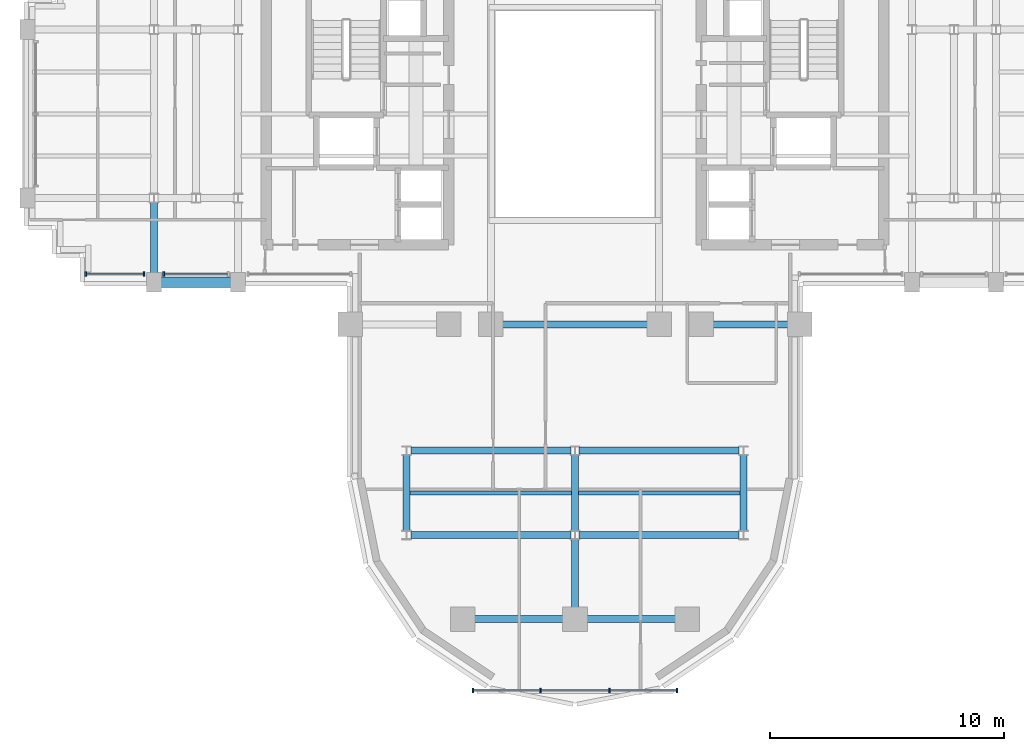
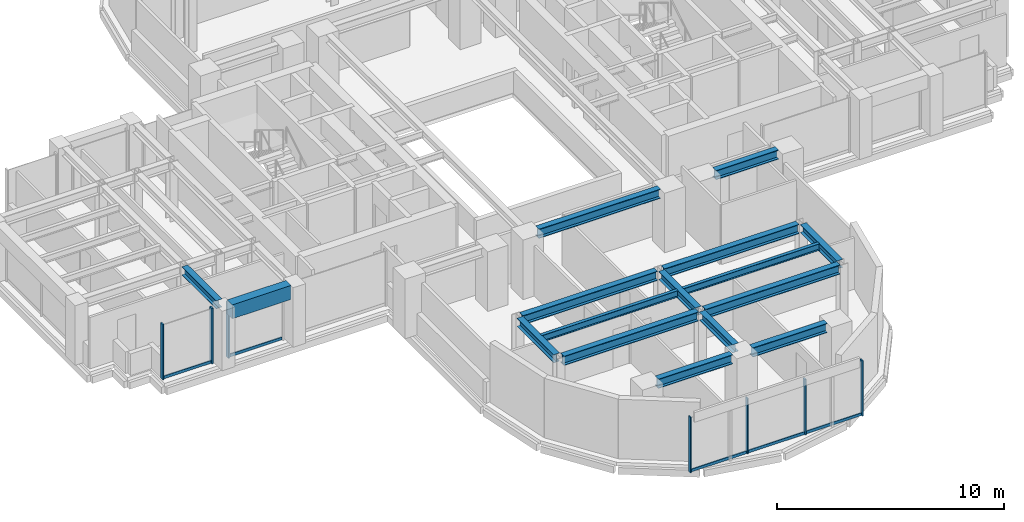
# One storey, part 3 of 14: 16 beams, 12 members, 3 elements without a shape of their own.
"""IFC4 building model written with IfcOpenShell, lengths in metres."""

from ifc_helpers import new_model, si_unit, direction, frame, origin, origin_2d, place, context, subcontext, project, spatial, rectangle, i_section, extrude, source, transform, mapped, material, material_profile, profile_set, type_object, element, aggregate, save


model = new_model("IFC4")

# Units and contexts
model_context = context("Model", 3, precision=1e-05, world=origin(), true_north=direction((0.0, 1.0)))
body_context = subcontext(model_context, "Body", "Model", "MODEL_VIEW")
ifc_project = project(units=[si_unit("LENGTHUNIT", "METRE"), si_unit("AREAUNIT", "SQUARE_METRE"), si_unit("VOLUMEUNIT", "CUBIC_METRE"), si_unit("PLANEANGLEUNIT", "RADIAN"), si_unit("MASSUNIT", "GRAM", prefix="KILO")], contexts=[model_context])

# Site, building, storey
site_placement = place(None, origin())
site = spatial("IfcSite", under=ifc_project, at=site_placement, CompositionType="ELEMENT")
building_placement = place(site_placement, origin())
building = spatial("IfcBuilding", under=site, at=building_placement, Name="Keilestroom Media Tower", CompositionType="ELEMENT")
storey_placement = place(building_placement, frame((0.0, 0.0, 124.39990234375)))
storey = spatial("IfcBuildingStorey", under=building, at=storey_placement, Name="L33", CompositionType="ELEMENT", Elevation=124.39990234375)

# Beams
ifc_material_1 = material(Name="Steel S355", Category="steel")
ifc_material_profile_1 = material_profile(ifc_material_1, i_section(OverallWidth=0.169921875, OverallDepth=0.360107421875, WebThickness=0.008056640625, FlangeThickness=0.0126953125, at=origin_2d()), Name="IPE 360")
ifc_profile_set_1 = profile_set([ifc_material_profile_1], Name="Steel S355")
beam_type_1 = type_object("IfcBeamType", Name="Secondary-Floor-Joist-IPE-360", PredefinedType="JOIST", material=ifc_profile_set_1)
shared_shape_1 = source(origin(), body_context, "Body", "SweptSolid", [
    extrude(i_section(OverallWidth=0.169921875, OverallDepth=0.360107421875, WebThickness=0.008056640625, FlangeThickness=0.0126953125, at=origin_2d()), origin(), (0.0, 0.0, 1.0), 6.940185546875),
])
for number, where, z_axis, x_axis, name in (
    (1, (-7.070068359375, -16.199951171875, 3.02001953125), (1.0, 0.0, 0.0), (0.0, 1.0, 0.0), "L33 Beam BJ-5 JST-L33-069"),
    (2, (0.1298828125, -16.199951171875, 3.02001953125), (1.0, 0.0, 0.0), (0.0, 1.0, 0.0), "L33 Beam BJ-5 JST-L33-070"),
):
    element("IfcBeam", number, at=place(storey_placement, frame(where, z_axis=z_axis, x_axis=x_axis)), inside=storey, type_object=beam_type_1, Name=name, PredefinedType="JOIST", context=body_context, shape_type="MappedRepresentation", body=[
        mapped(shared_shape_1, transform((0.0, 0.0, 0.0), x_axis=(1.0, 0.0, 0.0), y_axis=(0.0, 1.0, 0.0), z_axis=(0.0, 0.0, 1.0), scale=1.0)),
    ])
ifc_material_profile_2 = material_profile(ifc_material_1, i_section(OverallWidth=0.300048828125, OverallDepth=0.5, WebThickness=0.012451171875, FlangeThickness=0.028076171875, at=origin_2d()), Name="HEB 500")
ifc_profile_set_2 = profile_set([ifc_material_profile_2], Name="Steel S355")
beam_type_2 = type_object("IfcBeamType", Name="Primary-Structural-Girder-HEB-500", PredefinedType="BEAM", material=ifc_profile_set_2)
shared_shape_2 = source(origin(), body_context, "Body", "SweptSolid", [
    extrude(i_section(OverallWidth=0.300048828125, OverallDepth=0.5, WebThickness=0.012451171875, FlangeThickness=0.028076171875, at=origin_2d()), origin(), (0.0, 0.0, 1.0), 3.7900390625),
])
for number, where, z_axis, x_axis, name in (
    (3, (-4.294921875, -21.60009765625, 2.9501953125), (1.0, 0.0, 0.0), (0.0, 1.0, 0.0), "L33 Beam BG-6 BM-L33-EW-001"),
    (4, (0.5048828125, -21.60009765625, 2.9501953125), (1.0, 0.0, 0.0), (0.0, 1.0, 0.0), "L33 Beam BG-6 BM-L33-EW-002"),
):
    element("IfcBeam", number, at=place(storey_placement, frame(where, z_axis=z_axis, x_axis=x_axis)), inside=storey, type_object=beam_type_2, Name=name, PredefinedType="BEAM", context=body_context, shape_type="MappedRepresentation", body=[
        mapped(shared_shape_2, transform((0.0, 0.0, 0.0), x_axis=(1.0, 0.0, 0.0), y_axis=(0.0, 1.0, 0.0), z_axis=(0.0, 0.0, 1.0), scale=1.0)),
    ])
shared_shape_3 = source(origin(), body_context, "Body", "SweptSolid", [
    extrude(i_section(OverallWidth=0.300048828125, OverallDepth=0.5, WebThickness=0.012451171875, FlangeThickness=0.028076171875, at=origin_2d()), origin(), (0.0, 0.0, 1.0), 6.839111328125),
])
for number, where, z_axis, x_axis, name in (
    (5, (-7.01953125, -18.0, 2.9501953125), (1.0, 0.0, 0.0), (0.0, 1.0, 0.0), "L33 Beam BG-6 BM-L33-EW-003"),
    (6, (0.180419921875, -18.0, 2.9501953125), (1.0, 0.0, 0.0), (0.0, 1.0, 0.0), "L33 Beam BG-6 BM-L33-EW-004"),
    (7, (-7.01953125, -14.39990234375, 2.9501953125), (1.0, 0.0, 0.0), (0.0, 1.0, 0.0), "L33 Beam BG-6 BM-L33-EW-005"),
    (8, (0.180419921875, -14.39990234375, 2.9501953125), (1.0, 0.0, 0.0), (0.0, 1.0, 0.0), "L33 Beam BG-6 BM-L33-EW-006"),
):
    element("IfcBeam", number, at=place(storey_placement, frame(where, z_axis=z_axis, x_axis=x_axis)), inside=storey, type_object=beam_type_2, Name=name, PredefinedType="BEAM", context=body_context, shape_type="MappedRepresentation", body=[
        mapped(shared_shape_3, transform((0.0, 0.0, 0.0), x_axis=(1.0, 0.0, 0.0), y_axis=(0.0, 1.0, 0.0), z_axis=(0.0, 0.0, 1.0), scale=1.0)),
    ])
shared_shape_4 = source(origin(), body_context, "Body", "SweptSolid", [
    extrude(i_section(OverallWidth=0.300048828125, OverallDepth=0.5, WebThickness=0.012451171875, FlangeThickness=0.028076171875, at=origin_2d()), origin(), (0.0, 0.0, 1.0), 3.18994140625),
])
beam_1_placement = place(storey_placement, frame((5.905029296875, -9.0, 2.9501953125), z_axis=(1.0, 0.0, 0.0), x_axis=(0.0, 1.0, 0.0)))
element("IfcBeam", 9, at=beam_1_placement, inside=storey, type_object=beam_type_2, Name="L33 Beam BG-6 BM-L33-EW-011", PredefinedType="BEAM", context=body_context, shape_type="MappedRepresentation", body=[
    mapped(shared_shape_4, transform((0.0, 0.0, 0.0), x_axis=(1.0, 0.0, 0.0), y_axis=(0.0, 1.0, 0.0), z_axis=(0.0, 0.0, 1.0), scale=1.0)),
])
shared_shape_5 = source(origin(), body_context, "Body", "SweptSolid", [
    extrude(i_section(OverallWidth=0.300048828125, OverallDepth=0.5, WebThickness=0.012451171875, FlangeThickness=0.028076171875, at=origin_2d()), origin(), (0.0, 0.0, 1.0), 6.18994140625),
])
beam_2_placement = place(storey_placement, frame((-3.094970703125, -9.0, 2.9501953125), z_axis=(1.0, 0.0, 0.0), x_axis=(0.0, 1.0, 0.0)))
element("IfcBeam", 10, at=beam_2_placement, inside=storey, type_object=beam_type_2, Name="L33 Beam BG-6 BM-L33-EW-009", PredefinedType="BEAM", context=body_context, shape_type="MappedRepresentation", body=[
    mapped(shared_shape_5, transform((0.0, 0.0, 0.0), x_axis=(1.0, 0.0, 0.0), y_axis=(0.0, 1.0, 0.0), z_axis=(0.0, 0.0, 1.0), scale=1.0)),
])
ifc_material_2 = material(Name="Precast concrete C40/50", Category="concrete")
ifc_material_profile_3 = material_profile(ifc_material_2, rectangle(XDim=0.449951171875, YDim=0.75, at=origin_2d()), Name="PC 450x750")
ifc_profile_set_3 = profile_set([ifc_material_profile_3], Name="Precast concrete C40/50")
beam_type_3 = type_object("IfcBeamType", Name="Perimeter-Spandrel-Beam-PC-450x750", PredefinedType="SPANDREL", material=ifc_profile_set_3)
shared_shape_6 = source(origin(), body_context, "Body", "SweptSolid", [
    extrude(rectangle(XDim=0.449951171875, YDim=0.75, at=origin_2d()), origin(), (0.0, 0.0, 1.0), 2.989990234375),
])
beam_3_placement = place(storey_placement, frame((-17.695068359375, -7.199951171875, 2.8251953125), z_axis=(1.0, 0.0, 0.0), x_axis=(0.0, 1.0, 0.0)))
element("IfcBeam", 11, at=beam_3_placement, inside=storey, type_object=beam_type_3, Name="L33 Beam SPB-1 BM-L33-EW-012", PredefinedType="SPANDREL", context=body_context, shape_type="MappedRepresentation", body=[
    mapped(shared_shape_6, transform((0.0, 0.0, 0.0), x_axis=(1.0, 0.0, 0.0), y_axis=(0.0, 1.0, 0.0), z_axis=(0.0, 0.0, 1.0), scale=1.0)),
])
ifc_material_profile_4 = material_profile(ifc_material_1, i_section(OverallWidth=0.300048828125, OverallDepth=0.43994140625, WebThickness=0.011474609375, FlangeThickness=0.02099609375, at=origin_2d()), Name="HEA 450")
ifc_profile_set_4 = profile_set([ifc_material_profile_4], Name="Steel S355")
beam_type_4 = type_object("IfcBeamType", Name="Primary-Structural-Girder-HEA-450", PredefinedType="BEAM", material=ifc_profile_set_4)
shared_shape_7 = source(origin(), body_context, "Body", "SweptSolid", [
    extrude(i_section(OverallWidth=0.300048828125, OverallDepth=0.43994140625, WebThickness=0.011474609375, FlangeThickness=0.02099609375, at=origin_2d()), origin(), (0.0, 0.0, 1.0), 3.015380859375),
])
beam_4_placement = place(storey_placement, frame((-18.0, -6.794921875, 2.97998046875), z_axis=(0.0, 1.0, 0.0), x_axis=(-1.0, 0.0, 0.0)))
element("IfcBeam", 12, at=beam_4_placement, inside=storey, type_object=beam_type_4, Name="L33 Beam BG-11 BM-L33-NS-040", PredefinedType="BEAM", context=body_context, shape_type="MappedRepresentation", body=[
    mapped(shared_shape_7, transform((0.0, 0.0, 0.0), x_axis=(1.0, 0.0, 0.0), y_axis=(0.0, 1.0, 0.0), z_axis=(0.0, 0.0, 1.0), scale=1.0)),
])
shared_shape_8 = source(origin(), body_context, "Body", "SweptSolid", [
    extrude(i_section(OverallWidth=0.300048828125, OverallDepth=0.43994140625, WebThickness=0.011474609375, FlangeThickness=0.02099609375, at=origin_2d()), origin(), (0.0, 0.0, 1.0), 3.240966796875),
])
for number, where, z_axis, x_axis, name in (
    (13, (-7.199951171875, -17.820556640625, 2.97998046875), (0.0, 1.0, 0.0), (-1.0, 0.0, 0.0), "L33 Beam BG-11 BM-L33-NS-048"),
    (14, (0.0, -17.820556640625, 2.97998046875), (0.0, 1.0, 0.0), (-1.0, 0.0, 0.0), "L33 Beam BG-11 BM-L33-NS-053"),
    (15, (7.199951171875, -17.820556640625, 2.97998046875), (0.0, 1.0, 0.0), (-1.0, 0.0, 0.0), "L33 Beam BG-11 BM-L33-NS-058"),
):
    element("IfcBeam", number, at=place(storey_placement, frame(where, z_axis=z_axis, x_axis=x_axis)), inside=storey, type_object=beam_type_4, Name=name, PredefinedType="BEAM", context=body_context, shape_type="MappedRepresentation", body=[
        mapped(shared_shape_8, transform((0.0, 0.0, 0.0), x_axis=(1.0, 0.0, 0.0), y_axis=(0.0, 1.0, 0.0), z_axis=(0.0, 0.0, 1.0), scale=1.0)),
    ])
shared_shape_9 = source(origin(), body_context, "Body", "SweptSolid", [
    extrude(i_section(OverallWidth=0.300048828125, OverallDepth=0.43994140625, WebThickness=0.011474609375, FlangeThickness=0.02099609375, at=origin_2d()), origin(), (0.0, 0.0, 1.0), 2.91552734375),
])
beam_5_placement = place(storey_placement, frame((0.0, -21.094970703125, 2.97998046875), z_axis=(0.0, 1.0, 0.0), x_axis=(-1.0, 0.0, 0.0)))
element("IfcBeam", 16, at=beam_5_placement, inside=storey, type_object=beam_type_4, Name="L33 Beam BG-11 BM-L33-NS-052", PredefinedType="BEAM", context=body_context, shape_type="MappedRepresentation", body=[
    mapped(shared_shape_9, transform((0.0, 0.0, 0.0), x_axis=(1.0, 0.0, 0.0), y_axis=(0.0, 1.0, 0.0), z_axis=(0.0, 0.0, 1.0), scale=1.0)),
])

# Curtain wall, members
ifc_material_3 = material(Name="Anodised Aluminium Alloy", Category="aluminium")
curtain_wall_type_1 = type_object("IfcCurtainWallType", Name="Unitised-Curtain-Wall-CW-6", PredefinedType="NOTDEFINED", material=ifc_material_3)
curtain_wall_1_placement = place(storey_placement, origin())
curtain_wall_1 = element("IfcCurtainWall", 17, at=curtain_wall_1_placement, inside=storey, type_object=curtain_wall_type_1, Name="L33 Curtain Wall CW-6 CW-L33-LS-1", PredefinedType="NOTDEFINED")
ifc_material_profile_5 = material_profile(ifc_material_3, rectangle(XDim=0.06494140625, YDim=0.179931640625, at=origin_2d()), Name="ALU MULLION 65x180")
ifc_profile_set_5 = profile_set([ifc_material_profile_5], Name="Anodised Aluminium Alloy")
member_type_1 = type_object("IfcMemberType", Name="Curtain-Wall-Mullion-CW-6", PredefinedType="MULLION", material=ifc_profile_set_5)
shared_shape_10 = source(origin(), body_context, "Body", "SweptSolid", [
    extrude(rectangle(XDim=0.06494140625, YDim=0.179931640625, at=origin_2d()), origin(), (0.0, 0.0, 1.0), 2.97998046875),
])
member_1_placement = place(storey_placement, frame((-4.367431640625, -24.64990234375, 0.0), z_axis=(0.0, 0.0, 1.0), x_axis=(1.0, 0.0, 0.0)))
member_1 = element("IfcMember", 18, at=member_1_placement, type_object=member_type_1, Name="CW-6 Mullion 00", PredefinedType="MULLION", context=body_context, shape_type="MappedRepresentation", body=[
    mapped(shared_shape_10, transform((0.0, 0.0, 0.0), x_axis=(1.0, 0.0, 0.0), y_axis=(0.0, 1.0, 0.0), z_axis=(0.0, 0.0, 1.0), scale=1.0)),
])
member_2_placement = place(storey_placement, frame((-1.466796875, -24.64990234375, 0.0), z_axis=(0.0, 0.0, 1.0), x_axis=(1.0, 0.0, 0.0)))
member_2 = element("IfcMember", 19, at=member_2_placement, type_object=member_type_1, Name="CW-6 Mullion 01", PredefinedType="MULLION", context=body_context, shape_type="MappedRepresentation", body=[
    mapped(shared_shape_10, transform((0.0, 0.0, 0.0), x_axis=(1.0, 0.0, 0.0), y_axis=(0.0, 1.0, 0.0), z_axis=(0.0, 0.0, 1.0), scale=1.0)),
])
member_3_placement = place(storey_placement, frame((1.466796875, -24.64990234375, 0.0), z_axis=(0.0, 0.0, 1.0), x_axis=(1.0, 0.0, 0.0)))
member_3 = element("IfcMember", 20, at=member_3_placement, type_object=member_type_1, Name="CW-6 Mullion 02", PredefinedType="MULLION", context=body_context, shape_type="MappedRepresentation", body=[
    mapped(shared_shape_10, transform((0.0, 0.0, 0.0), x_axis=(1.0, 0.0, 0.0), y_axis=(0.0, 1.0, 0.0), z_axis=(0.0, 0.0, 1.0), scale=1.0)),
])
member_4_placement = place(storey_placement, frame((4.367431640625, -24.64990234375, 0.0), z_axis=(0.0, 0.0, 1.0), x_axis=(1.0, 0.0, 0.0)))
member_4 = element("IfcMember", 21, at=member_4_placement, type_object=member_type_1, Name="CW-6 Mullion 03", PredefinedType="MULLION", context=body_context, shape_type="MappedRepresentation", body=[
    mapped(shared_shape_10, transform((0.0, 0.0, 0.0), x_axis=(1.0, 0.0, 0.0), y_axis=(0.0, 1.0, 0.0), z_axis=(0.0, 0.0, 1.0), scale=1.0)),
])
ifc_material_profile_6 = material_profile(ifc_material_3, rectangle(XDim=0.06494140625, YDim=0.14990234375, at=origin_2d()), Name="ALU TRANSOM 65x150")
ifc_profile_set_6 = profile_set([ifc_material_profile_6], Name="Anodised Aluminium Alloy")
member_type_2 = type_object("IfcMemberType", Name="Curtain-Wall-Transom-CW-6", PredefinedType="USERDEFINED", material=ifc_profile_set_6)
shared_shape_11 = source(origin(), body_context, "Body", "SweptSolid", [
    extrude(rectangle(XDim=0.06494140625, YDim=0.14990234375, at=origin_2d()), origin(), (0.0, 0.0, 1.0), 2.839599609375),
])
member_5_placement = place(storey_placement, frame((-4.3369140625, -24.64990234375, 0.0751953125), z_axis=(1.0, 0.0, 0.0), x_axis=(0.0, 1.0, 0.0)))
member_5 = element("IfcMember", 22, at=member_5_placement, type_object=member_type_2, Name="CW-6 Transom 00.1", ObjectType="TRANSOM", PredefinedType="USERDEFINED", context=body_context, shape_type="MappedRepresentation", body=[
    mapped(shared_shape_11, transform((0.0, 0.0, 0.0), x_axis=(1.0, 0.0, 0.0), y_axis=(0.0, 1.0, 0.0), z_axis=(0.0, 0.0, 1.0), scale=1.0)),
])
member_6_placement = place(storey_placement, frame((1.497314453125, -24.64990234375, 0.0751953125), z_axis=(1.0, 0.0, 0.0), x_axis=(0.0, 1.0, 0.0)))
member_6 = element("IfcMember", 23, at=member_6_placement, type_object=member_type_2, Name="CW-6 Transom 02.1", ObjectType="TRANSOM", PredefinedType="USERDEFINED", context=body_context, shape_type="MappedRepresentation", body=[
    mapped(shared_shape_11, transform((0.0, 0.0, 0.0), x_axis=(1.0, 0.0, 0.0), y_axis=(0.0, 1.0, 0.0), z_axis=(0.0, 0.0, 1.0), scale=1.0)),
])
shared_shape_12 = source(origin(), body_context, "Body", "SweptSolid", [
    extrude(rectangle(XDim=0.06494140625, YDim=0.14990234375, at=origin_2d()), origin(), (0.0, 0.0, 1.0), 2.87255859375),
])
member_7_placement = place(storey_placement, frame((-1.436279296875, -24.64990234375, 0.0751953125), z_axis=(1.0, 0.0, 0.0), x_axis=(0.0, 1.0, 0.0)))
member_7 = element("IfcMember", 24, at=member_7_placement, type_object=member_type_2, Name="CW-6 Transom 01.1", ObjectType="TRANSOM", PredefinedType="USERDEFINED", context=body_context, shape_type="MappedRepresentation", body=[
    mapped(shared_shape_12, transform((0.0, 0.0, 0.0), x_axis=(1.0, 0.0, 0.0), y_axis=(0.0, 1.0, 0.0), z_axis=(0.0, 0.0, 1.0), scale=1.0)),
])
aggregate(curtain_wall_1, [member_1, member_2, member_3, member_4, member_5, member_7, member_6])

curtain_wall_type_2 = type_object("IfcCurtainWallType", Name="Unitised-Curtain-Wall-CW-2", PredefinedType="NOTDEFINED", material=ifc_material_3)
curtain_wall_2_placement = place(storey_placement, origin())
curtain_wall_2 = element("IfcCurtainWall", 25, at=curtain_wall_2_placement, inside=storey, type_object=curtain_wall_type_2, Name="L33 Curtain Wall CW-2 CW-L33-SW-1", PredefinedType="NOTDEFINED")
ifc_material_profile_7 = material_profile(ifc_material_3, rectangle(XDim=0.070068359375, YDim=0.199951171875, at=origin_2d()), Name="ALU MULLION 70x200")
ifc_profile_set_7 = profile_set([ifc_material_profile_7], Name="Anodised Aluminium Alloy")
member_type_3 = type_object("IfcMemberType", Name="Curtain-Wall-Mullion-CW-2", PredefinedType="MULLION", material=ifc_profile_set_7)
shared_shape_13 = source(origin(), body_context, "Body", "SweptSolid", [
    extrude(rectangle(XDim=0.070068359375, YDim=0.199951171875, at=origin_2d()), origin(), (0.0, 0.0, 1.0), 2.97998046875),
])
member_8_placement = place(storey_placement, frame((-20.9150390625, -6.85009765625, 0.0), z_axis=(0.0, 0.0, 1.0), x_axis=(1.0, 0.0, 0.0)))
member_8 = element("IfcMember", 26, at=member_8_placement, type_object=member_type_3, Name="CW-2 Mullion 00", PredefinedType="MULLION", context=body_context, shape_type="MappedRepresentation", body=[
    mapped(shared_shape_13, transform((0.0, 0.0, 0.0), x_axis=(1.0, 0.0, 0.0), y_axis=(0.0, 1.0, 0.0), z_axis=(0.0, 0.0, 1.0), scale=1.0)),
])
member_9_placement = place(storey_placement, frame((-18.419921875, -6.85009765625, 0.0), z_axis=(0.0, 0.0, 1.0), x_axis=(1.0, 0.0, 0.0)))
member_9 = element("IfcMember", 27, at=member_9_placement, type_object=member_type_3, Name="CW-2 Mullion 01", PredefinedType="MULLION", context=body_context, shape_type="MappedRepresentation", body=[
    mapped(shared_shape_13, transform((0.0, 0.0, 0.0), x_axis=(1.0, 0.0, 0.0), y_axis=(0.0, 1.0, 0.0), z_axis=(0.0, 0.0, 1.0), scale=1.0)),
])

# Curtain wall, member
curtain_wall_3_placement = place(storey_placement, origin())
curtain_wall_3 = element("IfcCurtainWall", 28, at=curtain_wall_3_placement, inside=storey, type_object=curtain_wall_type_2, Name="L33 Curtain Wall CW-2 CW-L33-SW-2", PredefinedType="NOTDEFINED")
member_10_placement = place(storey_placement, frame((-17.580078125, -6.85009765625, 0.0), z_axis=(0.0, 0.0, 1.0), x_axis=(1.0, 0.0, 0.0)))
member_10 = element("IfcMember", 29, at=member_10_placement, type_object=member_type_3, Name="CW-2 Mullion 00", PredefinedType="MULLION", context=body_context, shape_type="MappedRepresentation", body=[
    mapped(shared_shape_13, transform((0.0, 0.0, 0.0), x_axis=(1.0, 0.0, 0.0), y_axis=(0.0, 1.0, 0.0), z_axis=(0.0, 0.0, 1.0), scale=1.0)),
])

# Member
ifc_material_profile_8 = material_profile(ifc_material_3, rectangle(XDim=0.06494140625, YDim=0.14990234375, at=origin_2d()), Name="ALU TRANSOM 65x150")
ifc_profile_set_8 = profile_set([ifc_material_profile_8], Name="Anodised Aluminium Alloy")
member_type_4 = type_object("IfcMemberType", Name="Curtain-Wall-Transom-CW-2", PredefinedType="USERDEFINED", material=ifc_profile_set_8)
shared_shape_14 = source(origin(), body_context, "Body", "SweptSolid", [
    extrude(rectangle(XDim=0.06494140625, YDim=0.14990234375, at=origin_2d()), origin(), (0.0, 0.0, 1.0), 2.42919921875),
])
member_11_placement = place(storey_placement, frame((-20.882080078125, -6.85009765625, 0.0751953125), z_axis=(1.0, 0.0, 0.0), x_axis=(0.0, 1.0, 0.0)))
member_11 = element("IfcMember", 30, at=member_11_placement, type_object=member_type_4, Name="CW-2 Transom 00.1", ObjectType="TRANSOM", PredefinedType="USERDEFINED", context=body_context, shape_type="MappedRepresentation", body=[
    mapped(shared_shape_14, transform((0.0, 0.0, 0.0), x_axis=(1.0, 0.0, 0.0), y_axis=(0.0, 1.0, 0.0), z_axis=(0.0, 0.0, 1.0), scale=1.0)),
])

aggregate(curtain_wall_2, [member_8, member_9, member_11])

shared_shape_15 = source(origin(), body_context, "Body", "SweptSolid", [
    extrude(rectangle(XDim=0.06494140625, YDim=0.14990234375, at=origin_2d()), origin(), (0.0, 0.0, 1.0), 2.694091796875),
])
member_12_placement = place(storey_placement, frame((-17.547119140625, -6.85009765625, 0.0751953125), z_axis=(1.0, 0.0, 0.0), x_axis=(0.0, 1.0, 0.0)))
member_12 = element("IfcMember", 31, at=member_12_placement, type_object=member_type_4, Name="CW-2 Transom 00.1", ObjectType="TRANSOM", PredefinedType="USERDEFINED", context=body_context, shape_type="MappedRepresentation", body=[
    mapped(shared_shape_15, transform((0.0, 0.0, 0.0), x_axis=(1.0, 0.0, 0.0), y_axis=(0.0, 1.0, 0.0), z_axis=(0.0, 0.0, 1.0), scale=1.0)),
])

aggregate(curtain_wall_3, [member_10, member_12])

save(model, "model.ifc")
